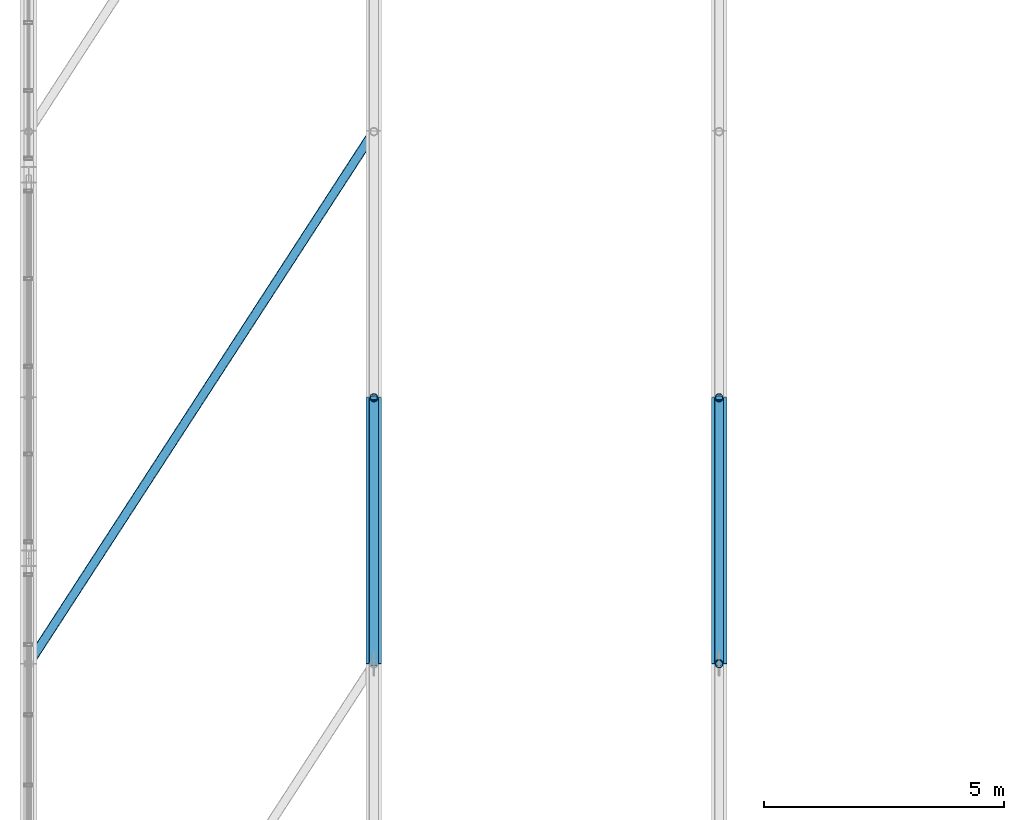
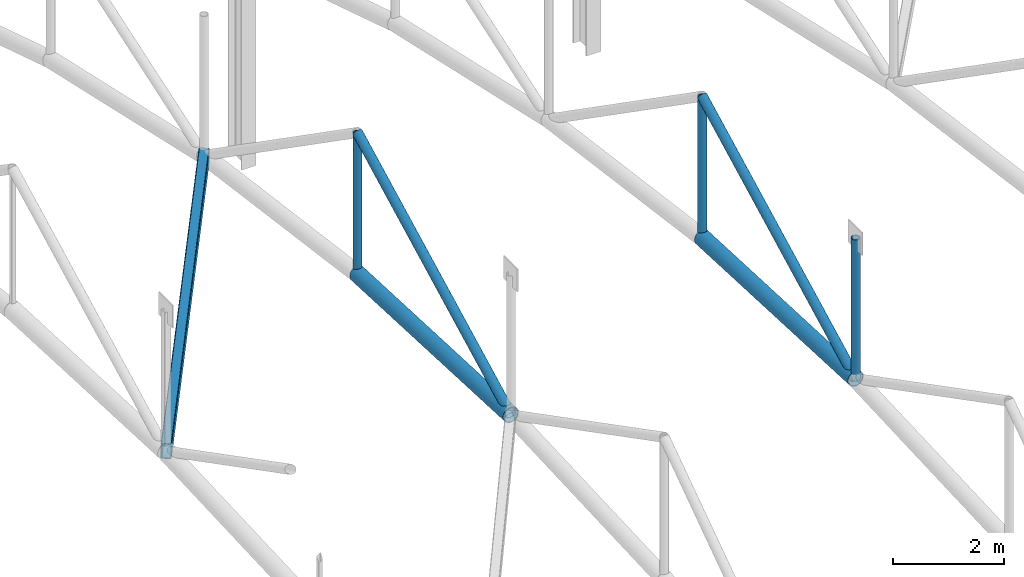
# One storey, part 36 of 153: 8 members.
"""IFC4 building model written with IfcOpenShell, lengths in metres."""

from ifc_helpers import new_model, si_unit, derived_unit, direction, frame, origin, origin_2d, place, context, subcontext, project, spatial, hollow_rectangle, hollow_circle, extrude, material, material_profile, profile_set, type_object, element, save


model = new_model("IFC4")

# Units and contexts
model_context = context("Model", 3, precision=1e-05, world=origin(), true_north=direction((0.0, 1.0)))
body_context = subcontext(model_context, "Body", "Model", "MODEL_VIEW")
ifc_project = project(units=[si_unit("LENGTHUNIT", "METRE"), si_unit("AREAUNIT", "SQUARE_METRE"), si_unit("VOLUMEUNIT", "CUBIC_METRE"), si_unit("PLANEANGLEUNIT", "RADIAN"), si_unit("MASSUNIT", "GRAM", prefix="KILO"), derived_unit("THERMALTRANSMITTANCEUNIT", [(si_unit("POWERUNIT", "WATT"), 1), (si_unit("LENGTHUNIT", "METRE"), -2), (si_unit("THERMODYNAMICTEMPERATUREUNIT", "KELVIN"), -1)])], contexts=[model_context])

# Site, building, storey
site_placement = place(None, origin())
site = spatial("IfcSite", under=ifc_project, at=site_placement, CompositionType="ELEMENT")
building_placement = place(site_placement, origin())
building = spatial("IfcBuilding", under=site, at=building_placement, Name="Keldorne Ridge Multi-Sports Centre", CompositionType="ELEMENT")
storey_placement = place(building_placement, frame((0.0, 0.0, 9.60009765625)))
storey = spatial("IfcBuildingStorey", under=building, at=storey_placement, Name="L02", CompositionType="ELEMENT", Elevation=9.60009765625)

# Members
ifc_material = material(Name="Steel S355", Category="steel")
ifc_material_profile_1 = material_profile(ifc_material, hollow_circle(Radius=0.161865234375, WallThickness=0.01611328125, at=origin_2d()), Name="CHS 323.9x16")
ifc_profile_set_1 = profile_set([ifc_material_profile_1], Name="Steel S355")
member_type_1 = type_object("IfcMemberType", Name="MEM-TC-02", PredefinedType="CHORD", material=ifc_profile_set_1)
for number, where, z_axis, x_axis, name in (
    (1, (13.199951171875, 31.800048828125, 10.3798828125), (0.0, 0.99898703105, -0.044999019918), (-1.0, 0.0, 0.0), "Main Hall ROOF TRUSS AT-02 bottom chord 5"),
    (2, (20.39990234375, 31.800048828125, 8.659912109375), (0.0, 0.99898703105, -0.044999019918), (-1.0, 0.0, 0.0), "Main Hall ROOF TRUSS AT-03 bottom chord 5"),
):
    element("IfcMember", number, at=place(storey_placement, frame(where, z_axis=z_axis, x_axis=x_axis)), inside=storey, type_object=member_type_1, Name=name, PredefinedType="CHORD", context=body_context, shape_type="SweptSolid", body=[
        extrude(hollow_circle(Radius=0.161865234375, WallThickness=0.01611328125, at=origin_2d()), origin(), (0.0, 0.0, 1.0), 5.5556640625),
    ])
ifc_material_profile_2 = material_profile(ifc_material, hollow_circle(Radius=0.096923828125, WallThickness=0.010009765625, at=origin_2d()), Name="CHS 193.7x10")
ifc_profile_set_2 = profile_set([ifc_material_profile_2], Name="Steel S355")
member_type_2 = type_object("IfcMemberType", Name="MEM-TD-01", PredefinedType="BRACE", material=ifc_profile_set_2)
member_1_placement = place(storey_placement, frame((13.199951171875, 31.800048828125, 10.3798828125), z_axis=(0.0, 0.888256676743, 0.459347446082), x_axis=(-1.0, 0.0, 0.0)))
element("IfcMember", 3, at=member_1_placement, inside=storey, type_object=member_type_2, Name="Main Hall ROOF TRUSS AT-02 diagonal 5", PredefinedType="BRACE", context=body_context, shape_type="SweptSolid", body=[
    extrude(hollow_circle(Radius=0.096923828125, WallThickness=0.010009765625, at=origin_2d()), origin(), (0.0, 0.0, 1.0), 6.248291015625),
])
member_2_placement = place(storey_placement, frame((20.39990234375, 31.800048828125, 8.659912109375), z_axis=(0.0, 0.888272619181, 0.459316616305), x_axis=(-1.0, 0.0, 0.0)))
element("IfcMember", 4, at=member_2_placement, inside=storey, type_object=member_type_2, Name="Main Hall ROOF TRUSS AT-03 diagonal 5", PredefinedType="BRACE", context=body_context, shape_type="SweptSolid", body=[
    extrude(hollow_circle(Radius=0.096923828125, WallThickness=0.010009765625, at=origin_2d()), origin(), (0.0, 0.0, 1.0), 6.248046875),
])
ifc_material_profile_3 = material_profile(ifc_material, hollow_circle(Radius=0.084228515625, WallThickness=0.010009765625, at=origin_2d()), Name="CHS 168.3x10")
ifc_profile_set_3 = profile_set([ifc_material_profile_3], Name="Steel S355")
member_type_3 = type_object("IfcMemberType", Name="MEM-TV-01", PredefinedType="STRUT", material=ifc_profile_set_3)
member_3_placement = place(storey_placement, frame((13.199951171875, 37.35009765625, 10.1298828125), z_axis=(0.0, 0.0, 1.0), x_axis=(1.0, 0.0, 0.0)))
element("IfcMember", 5, at=member_3_placement, inside=storey, type_object=member_type_3, Name="Main Hall ROOF TRUSS AT-02 vertical 6", PredefinedType="STRUT", context=body_context, shape_type="SweptSolid", body=[
    extrude(hollow_circle(Radius=0.084228515625, WallThickness=0.010009765625, at=origin_2d()), origin(), (0.0, 0.0, 1.0), 3.1201171875),
])
for number, where, z_axis, x_axis, name in (
    (6, (20.39990234375, 31.800048828125, 8.659912109375), (0.0, 0.0, 1.0), (1.0, 0.0, 0.0), "Main Hall ROOF TRUSS AT-03 vertical 5"),
    (7, (20.39990234375, 37.35009765625, 8.409912109375), (0.0, 0.0, 1.0), (1.0, 0.0, 0.0), "Main Hall ROOF TRUSS AT-03 vertical 6"),
):
    element("IfcMember", number, at=place(storey_placement, frame(where, z_axis=z_axis, x_axis=x_axis)), inside=storey, type_object=member_type_3, Name=name, PredefinedType="STRUT", context=body_context, shape_type="SweptSolid", body=[
        extrude(hollow_circle(Radius=0.084228515625, WallThickness=0.010009765625, at=origin_2d()), origin(), (0.0, 0.0, 1.0), 3.119873046875),
    ])
ifc_material_profile_4 = material_profile(ifc_material, hollow_rectangle(XDim=0.199951171875, YDim=0.300048828125, WallThickness=0.012451171875, InnerFilletRadius=0.012451171875, OuterFilletRadius=0.02490234375, at=origin_2d()), Name="RHS 300x200x12.5")
ifc_profile_set_4 = profile_set([ifc_material_profile_4], Name="Steel S355")
member_type_4 = type_object("IfcMemberType", Name="MEM-WB-01", PredefinedType="BRACE", material=ifc_profile_set_4)
member_4_placement = place(storey_placement, frame((6.0, 31.800048828125, 12.099853515625), z_axis=(0.533045668434, 0.821773467002, -0.201372004748), x_axis=(-0.838959693152, 0.544193562317, 0.0)))
element("IfcMember", 8, at=member_4_placement, inside=storey, type_object=member_type_4, Name="Main Hall wind girder brace 1.5", PredefinedType="BRACE", context=body_context, shape_type="SweptSolid", body=[
    extrude(hollow_rectangle(XDim=0.199951171875, YDim=0.300048828125, WallThickness=0.012451171875, InnerFilletRadius=0.012451171875, OuterFilletRadius=0.02490234375, at=origin_2d()), origin(), (0.0, 0.0, 1.0), 13.507080078125),
])

save(model, "model.ifc")
